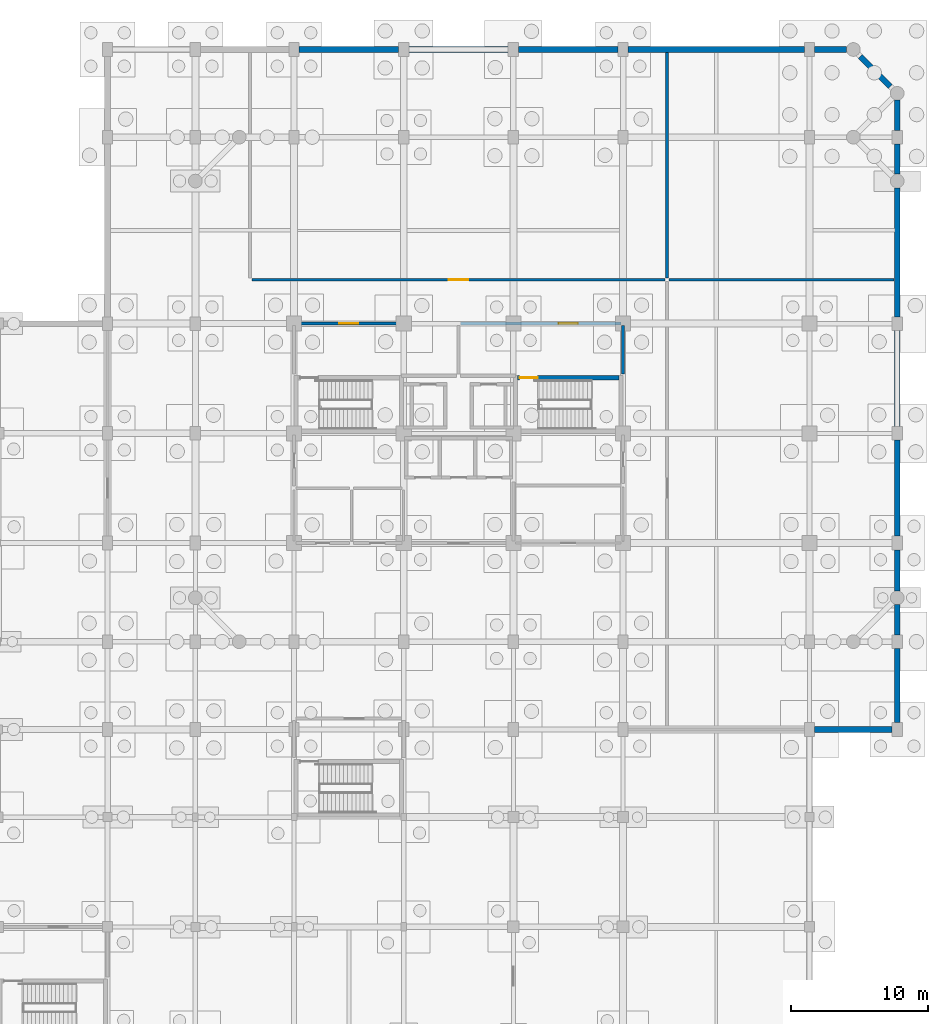
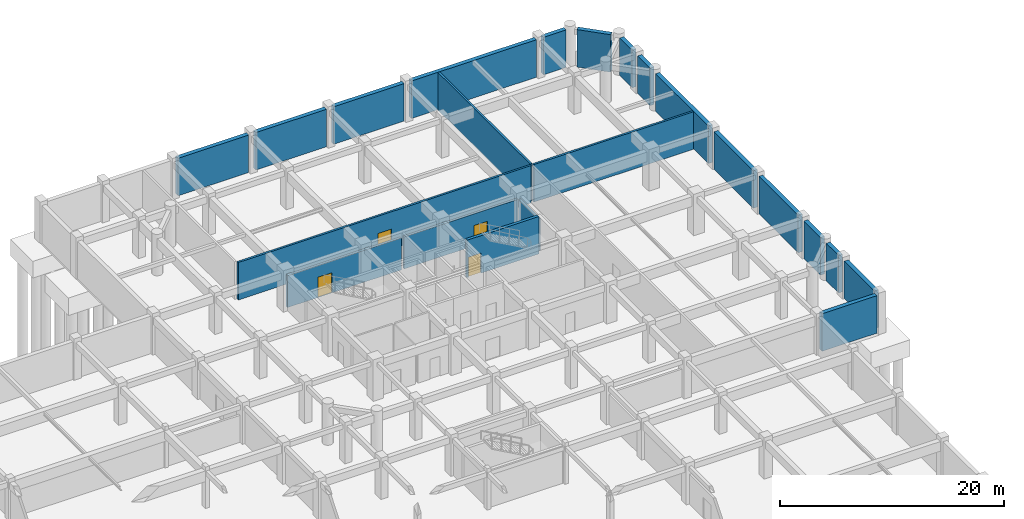
# One storey, part 25 of 28: 22 walls, 4 doors, 4 openings.
"""IFC4 building model written with IfcOpenShell, lengths in metres."""

from ifc_helpers import new_model, si_unit, direction, frame, frame_2d, origin, place, context, subcontext, project, spatial, rectangle, extrude, material, layer, layer_set, type_object, element, fill, save


model = new_model("IFC4")

# Units and contexts
model_context = context("Model", 3, precision=1e-05, world=origin(), true_north=direction((0.0, 1.0)))
body_context = subcontext(model_context, "Body", "Model", "MODEL_VIEW")
ifc_project = project(units=[si_unit("LENGTHUNIT", "METRE"), si_unit("AREAUNIT", "SQUARE_METRE"), si_unit("VOLUMEUNIT", "CUBIC_METRE"), si_unit("PLANEANGLEUNIT", "RADIAN"), si_unit("MASSUNIT", "GRAM", prefix="KILO")], contexts=[model_context])

# Site, building, storey
site_placement = place(None, origin())
site = spatial("IfcSite", under=ifc_project, at=site_placement, CompositionType="ELEMENT")
building_placement = place(site_placement, origin())
building = spatial("IfcBuilding", under=site, at=building_placement, Name="Vellmiral Cinema and Media Centre", CompositionType="ELEMENT")
storey_placement = place(building_placement, frame((0.0, 0.0, -4.5)))
storey = spatial("IfcBuildingStorey", under=building, at=storey_placement, Name="B1", CompositionType="ELEMENT", Elevation=-4.5)

# Walls
ifc_material_1 = material(Name="Concrete C30/37", Category="concrete")
ifc_layer_1 = layer(ifc_material_1, 0.419921875, Name="Concrete C30/37")
ifc_layer_set_1 = layer_set([ifc_layer_1], Name="Concrete C30/37")
wall_type_1 = type_object("IfcWallType", Name="WL-B1-RET-420", PredefinedType="SOLIDWALL", material=ifc_layer_set_1)
wall_1_placement = place(storey_placement, frame((161.97509765625, 65.60009765625, 0.0), z_axis=(0.0, 0.0, 1.0), x_axis=(1.0, 0.0, 0.0)))
element("IfcWall", 1, at=wall_1_placement, inside=storey, type_object=wall_type_1, Name="Basement Retaining Wall B1-036", PredefinedType="SOLIDWALL", context=body_context, shape_type="SweptSolid", body=[
    extrude(rectangle(XDim=5.64990234375, YDim=0.419921875, at=frame_2d((2.824951171875, 0.0))), origin(), (0.0, 0.0, 1.0), 4.080078125),
])
wall_2_placement = place(storey_placement, frame((168.0, 66.10009765625, 0.0), z_axis=(0.0, 0.0, 1.0), x_axis=(0.0, 1.0, 0.0)))
element("IfcWall", 2, at=wall_2_placement, inside=storey, type_object=wall_type_1, Name="Basement Retaining Wall B1-037", PredefinedType="SOLIDWALL", context=body_context, shape_type="SweptSolid", body=[
    extrude(rectangle(XDim=5.39990234375, YDim=0.419921875, at=frame_2d((2.699951171875, 0.0))), origin(), (0.0, 0.0, 1.0), 4.080078125),
])
wall_3_placement = place(storey_placement, frame((168.0, 72.5, 0.0), z_axis=(0.0, 0.0, 1.0), x_axis=(0.0, 1.0, 0.0)))
element("IfcWall", 3, at=wall_3_placement, inside=storey, type_object=wall_type_1, Name="Basement Retaining Wall B1-038", PredefinedType="SOLIDWALL", context=body_context, shape_type="SweptSolid", body=[
    extrude(rectangle(XDim=2.199951171875, YDim=0.419921875, at=frame_2d((1.10009765625, 0.0))), origin(), (0.0, 0.0, 1.0), 4.080078125),
])
wall_4_placement = place(storey_placement, frame((168.0, 75.699951171875, 0.0), z_axis=(0.0, 0.0, 1.0), x_axis=(0.0, 1.0, 0.0)))
element("IfcWall", 4, at=wall_4_placement, inside=storey, type_object=wall_type_1, Name="Basement Retaining Wall B1-039", PredefinedType="SOLIDWALL", context=body_context, shape_type="SweptSolid", body=[
    extrude(rectangle(XDim=3.0, YDim=0.419921875, at=frame_2d((1.5, 0.0))), origin(), (0.0, 0.0, 1.0), 4.080078125),
])
for number, where, z_axis, x_axis, name in (
    (5, (168.0, 79.699951171875, 0.0), (0.0, 0.0, 1.0), (0.0, 1.0, 0.0), "Basement Retaining Wall B1-040"),
    (6, (168.0, 87.699951171875, 0.0), (0.0, 0.0, 1.0), (0.0, 1.0, 0.0), "Basement Retaining Wall B1-041"),
):
    element("IfcWall", number, at=place(storey_placement, frame(where, z_axis=z_axis, x_axis=x_axis)), inside=storey, type_object=wall_type_1, Name=name, PredefinedType="SOLIDWALL", context=body_context, shape_type="SweptSolid", body=[
        extrude(rectangle(XDim=7.0, YDim=0.419921875, at=frame_2d((3.5, 0.0))), origin(), (0.0, 0.0, 1.0), 4.080078125),
    ])
wall_5_placement = place(storey_placement, frame((168.0, 95.699951171875, 0.0), z_axis=(0.0, 0.0, 1.0), x_axis=(0.0, 1.0, 0.0)))
element("IfcWall", 7, at=wall_5_placement, inside=storey, type_object=wall_type_1, Name="Basement Retaining Wall B1-042", PredefinedType="SOLIDWALL", context=body_context, shape_type="SweptSolid", body=[
    extrude(rectangle(XDim=9.400146484375, YDim=0.419921875, at=frame_2d((4.7001953125, 0.0))), origin(), (0.0, 0.0, 1.0), 4.080078125),
])
for number, where, z_axis, x_axis, name in (
    (8, (168.0, 106.10009765625, 0.0), (0.0, 0.0, 1.0), (0.0, 1.0, 0.0), "Basement Retaining Wall B1-043"),
    (9, (168.0, 109.300048828125, 0.0), (0.0, 0.0, 1.0), (0.0, 1.0, 0.0), "Basement Retaining Wall B1-044"),
):
    element("IfcWall", number, at=place(storey_placement, frame(where, z_axis=z_axis, x_axis=x_axis)), inside=storey, type_object=wall_type_1, Name=name, PredefinedType="SOLIDWALL", context=body_context, shape_type="SweptSolid", body=[
        extrude(rectangle(XDim=2.199951171875, YDim=0.419921875, at=frame_2d((1.10009765625, 0.0))), origin(), (0.0, 0.0, 1.0), 4.080078125),
    ])
wall_6_placement = place(storey_placement, frame((167.5, 112.5, 0.0), z_axis=(0.0, 0.0, 1.0), x_axis=(-0.707106781187, 0.707106781187, 0.0)))
element("IfcWall", 10, at=wall_6_placement, inside=storey, type_object=wall_type_1, Name="Basement Retaining Wall B1-045", PredefinedType="SOLIDWALL", context=body_context, shape_type="SweptSolid", body=[
    extrude(rectangle(XDim=3.111083984375, YDim=0.419921875, at=frame_2d((1.5556640625, 0.0))), origin(), (0.0, 0.0, 1.0), 4.080078125),
])
wall_7_placement = place(storey_placement, frame((164.300048828125, 115.199951171875, 0.0), z_axis=(0.0, 0.0, 1.0), x_axis=(-1.0, 0.0, 0.0)))
element("IfcWall", 11, at=wall_7_placement, inside=storey, type_object=wall_type_1, Name="Basement Retaining Wall B1-046", PredefinedType="SOLIDWALL", context=body_context, shape_type="SweptSolid", body=[
    extrude(rectangle(XDim=2.324951171875, YDim=0.419921875, at=frame_2d((1.16259765625, 0.0))), origin(), (0.0, 0.0, 1.0), 4.080078125),
])
wall_8_placement = place(storey_placement, frame((161.22509765625, 115.199951171875, 0.0), z_axis=(0.0, 0.0, 1.0), x_axis=(-1.0, 0.0, 0.0)))
element("IfcWall", 12, at=wall_8_placement, inside=storey, type_object=wall_type_1, Name="Basement Retaining Wall B1-047", PredefinedType="SOLIDWALL", context=body_context, shape_type="SweptSolid", body=[
    extrude(rectangle(XDim=12.85009765625, YDim=0.419921875, at=frame_2d((6.425048828125, 0.0))), origin(), (0.0, 0.0, 1.0), 4.080078125),
])
for number, where, z_axis, x_axis, name in (
    (13, (147.625, 115.199951171875, 0.0), (0.0, 0.0, 1.0), (-1.0, 0.0, 0.0), "Basement Retaining Wall B1-048"),
    (14, (139.625, 115.199951171875, 0.0), (0.0, 0.0, 1.0), (-1.0, 0.0, 0.0), "Basement Retaining Wall B1-049"),
    (15, (131.625, 115.199951171875, 0.0), (0.0, 0.0, 1.0), (-1.0, 0.0, 0.0), "Basement Retaining Wall B1-050"),
):
    element("IfcWall", number, at=place(storey_placement, frame(where, z_axis=z_axis, x_axis=x_axis)), inside=storey, type_object=wall_type_1, Name=name, PredefinedType="SOLIDWALL", context=body_context, shape_type="SweptSolid", body=[
        extrude(rectangle(XDim=7.25, YDim=0.419921875, at=frame_2d((3.625, 0.0))), origin(), (0.0, 0.0, 1.0), 4.080078125),
    ])
ifc_material_2 = material(Name="Concrete C40/50", Category="concrete")
ifc_layer_2 = layer(ifc_material_2, 0.2099609375, Name="Concrete C40/50")
ifc_layer_set_2 = layer_set([ifc_layer_2], Name="Concrete C40/50")
wall_type_2 = type_object("IfcWallType", Name="WL-COMP-210", PredefinedType="SOLIDWALL", material=ifc_layer_set_2)
wall_9_placement = place(storey_placement, frame((151.340087890625, 98.39990234375, 0.0), z_axis=(0.0, 0.0, 1.0), x_axis=(1.0, 0.0, 0.0)))
element("IfcWall", 16, at=wall_9_placement, inside=storey, type_object=wall_type_2, Name="Tower Basement Media Archive Room Wall N", PredefinedType="SOLIDWALL", context=body_context, shape_type="SweptSolid", body=[
    extrude(rectangle(XDim=16.434814453125, YDim=0.2099609375, at=frame_2d((8.21728515625, 0.0))), origin(), (0.0, 0.0, 1.0), 4.080078125),
])

# Wall, opening, door
wall_10_placement = place(storey_placement, frame((120.93994140625, 98.39990234375, 0.0), z_axis=(0.0, 0.0, 1.0), x_axis=(1.0, 0.0, 0.0)))
wall_10 = element("IfcWall", 17, at=wall_10_placement, inside=storey, type_object=wall_type_2, Name="Tower Basement Technical Store Wall S", PredefinedType="SOLIDWALL", context=body_context, shape_type="SweptSolid", body=[
    extrude(rectangle(XDim=30.1201171875, YDim=0.2099609375, at=frame_2d((15.06005859375, 0.0))), origin(), (0.0, 0.0, 1.0), 4.080078125),
])
opening_1_placement = place(wall_10_placement, frame((14.360107421875, 0.0, 0.0)))
opening_1 = element("IfcOpeningElement", 18, at=opening_1_placement, cuts=wall_10, Name="Opening D-FD60B", PredefinedType="OPENING", context=body_context, shape_type="SweptSolid", body=[
    extrude(rectangle(XDim=1.39990234375, YDim=2.199951171875, at=frame_2d((0.699951171875, 1.10009765625))), frame((0.0, 0.116943359375, 0.0), z_axis=(0.0, -1.0, 0.0), x_axis=(1.0, 0.0, 0.0)), (0.0, 0.0, 1.0), 0.23388671875),
])
ifc_material_3 = material(Name="Steel Fire Door", Category="steel")
door_type_1 = type_object("IfcDoorType", Name="DR-FD60-1400x2200", OperationType="NOTDEFINED", PredefinedType="DOOR", material=ifc_material_3)
door_1_placement = place(opening_1_placement, origin())
door_1 = element("IfcDoor", 19, at=door_1_placement, inside=storey, type_object=door_type_1, Name="Tower Basement Technical Store Door", OperationType="SINGLE_SWING_LEFT", OverallHeight=2.199951171875, OverallWidth=1.39990234375, PredefinedType="DOOR", context=body_context, shape_type="SweptSolid", body=[
    extrude(rectangle(XDim=1.39990234375, YDim=2.199951171875, at=frame_2d((0.699951171875, 1.10009765625))), frame((0.0, 0.02490234375, 0.0), z_axis=(0.0, -1.0, 0.0), x_axis=(1.0, 0.0, 0.0)), (0.0, 0.0, 1.0), 0.050048828125),
])
fill(opening_1, door_1)

# Wall
wall_11_placement = place(storey_placement, frame((151.199951171875, 98.5400390625, 0.0), z_axis=(0.0, 0.0, 1.0), x_axis=(0.0, 1.0, 0.0)))
element("IfcWall", 20, at=wall_11_placement, inside=storey, type_object=wall_type_2, Name="Tower Basement Technical Store Wall E", PredefinedType="SOLIDWALL", context=body_context, shape_type="SweptSolid", body=[
    extrude(rectangle(XDim=16.43505859375, YDim=0.2099609375, at=frame_2d((8.217529296875, 0.0))), origin(), (0.0, 0.0, 1.0), 4.080078125),
])

# Wall, opening, door
ifc_material_4 = material(Name="Concrete C40/50", Category="concrete")
ifc_layer_3 = layer(ifc_material_4, 0.300048828125, Name="Concrete C40/50")
ifc_layer_set_3 = layer_set([ifc_layer_3], Name="Concrete C40/50")
wall_type_3 = type_object("IfcWallType", Name="WL-CORE-300", PredefinedType="SHEAR", material=ifc_layer_set_3)
wall_12_placement = place(storey_placement, frame((140.300048828125, 91.25, 0.0), z_axis=(0.0, 0.0, 1.0), x_axis=(1.0, 0.0, 0.0)))
wall_12 = element("IfcWall", 21, at=wall_12_placement, inside=storey, type_object=wall_type_3, Name="Stair Core Wall ST-T2 B1-N", PredefinedType="SHEAR", context=body_context, shape_type="SweptSolid", body=[
    extrude(rectangle(XDim=7.39990234375, YDim=0.300048828125, at=frame_2d((3.699951171875, 0.0))), origin(), (0.0, 0.0, 1.0), 4.080078125),
])
opening_2_placement = place(wall_12_placement, frame((0.159912109375, 0.0, 0.0)))
opening_2 = element("IfcOpeningElement", 22, at=opening_2_placement, cuts=wall_12, Name="Opening D-FD30A", PredefinedType="OPENING", context=body_context, shape_type="SweptSolid", body=[
    extrude(rectangle(XDim=1.300048828125, YDim=2.179931640625, at=frame_2d((0.64990234375, 1.08984375))), frame((0.0, 0.162109375, 0.0), z_axis=(0.0, -1.0, 0.0), x_axis=(1.0, 0.0, 0.0)), (0.0, 0.0, 1.0), 0.323974609375),
])
ifc_material_5 = material(Name="Steel Stair Fire Door", Category="steel")
door_type_2 = type_object("IfcDoorType", Name="DR-FD30-1300x2180", OperationType="NOTDEFINED", PredefinedType="DOOR", material=ifc_material_5)
door_2_placement = place(opening_2_placement, frame((1.300048828125, 0.0, 0.0), z_axis=(0.0, 0.0, 1.0), x_axis=(-1.0, 0.0, 0.0)))
door_2 = element("IfcDoor", 23, at=door_2_placement, inside=storey, type_object=door_type_2, Name="Protected Stair Door ST-T2 B1", OperationType="SINGLE_SWING_RIGHT", OverallHeight=2.179931640625, OverallWidth=1.300048828125, PredefinedType="DOOR", context=body_context, shape_type="SweptSolid", body=[
    extrude(rectangle(XDim=1.300048828125, YDim=2.179931640625, at=frame_2d((0.64990234375, 1.08984375))), frame((0.0, 0.02490234375, 0.0), z_axis=(0.0, -1.0, 0.0), x_axis=(1.0, 0.0, 0.0)), (0.0, 0.0, 1.0), 0.050048828125),
])
fill(opening_2, door_2)

ifc_material_6 = material(Name="Concrete C40/50", Category="concrete")
ifc_layer_4 = layer(ifc_material_6, 0.22998046875, Name="Concrete C40/50")
ifc_layer_set_4 = layer_set([ifc_layer_4], Name="Concrete C40/50")
wall_type_4 = type_object("IfcWallType", Name="WL-FFL-230", PredefinedType="SOLIDWALL", material=ifc_layer_set_4)
wall_13_placement = place(storey_placement, frame((124.139892578125, 95.199951171875, 0.0), z_axis=(0.0, 0.0, 1.0), x_axis=(1.0, 0.0, 0.0)))
wall_13 = element("IfcWall", 24, at=wall_13_placement, inside=storey, type_object=wall_type_4, Name="Firefighting Lobby West Wall N", PredefinedType="SOLIDWALL", context=body_context, shape_type="SweptSolid", body=[
    extrude(rectangle(XDim=11.72021484375, YDim=0.22998046875, at=frame_2d((5.860107421875, 0.0))), origin(), (0.0, 0.0, 1.0), 3.47509765625),
])
opening_3_placement = place(wall_13_placement, frame((3.159912109375, 0.0, 0.0)))
opening_3 = element("IfcOpeningElement", 25, at=opening_3_placement, cuts=wall_13, Name="Opening D-FD60B", PredefinedType="OPENING", context=body_context, shape_type="SweptSolid", body=[
    extrude(rectangle(XDim=1.39990234375, YDim=2.199951171875, at=frame_2d((0.699951171875, 1.10009765625))), frame((0.0, 0.126953125, 0.0), z_axis=(0.0, -1.0, 0.0), x_axis=(1.0, 0.0, 0.0)), (0.0, 0.0, 1.0), 0.25390625),
])
door_3_placement = place(opening_3_placement, frame((1.39990234375, 0.0, 0.0), z_axis=(0.0, 0.0, 1.0), x_axis=(-1.0, 0.0, 0.0)))
door_3 = element("IfcDoor", 26, at=door_3_placement, inside=storey, type_object=door_type_1, Name="Firefighting Lobby West Door", OperationType="SINGLE_SWING_RIGHT", OverallHeight=2.199951171875, OverallWidth=1.39990234375, PredefinedType="DOOR", context=body_context, shape_type="SweptSolid", body=[
    extrude(rectangle(XDim=1.39990234375, YDim=2.199951171875, at=frame_2d((0.699951171875, 1.10009765625))), frame((0.0, 0.02490234375, 0.0), z_axis=(0.0, -1.0, 0.0), x_axis=(1.0, 0.0, 0.0)), (0.0, 0.0, 1.0), 0.050048828125),
])
fill(opening_3, door_3)

wall_14_placement = place(storey_placement, frame((136.139892578125, 95.199951171875, 0.0), z_axis=(0.0, 0.0, 1.0), x_axis=(1.0, 0.0, 0.0)))
wall_14 = element("IfcWall", 27, at=wall_14_placement, inside=storey, type_object=wall_type_4, Name="Firefighting Lobby East Wall N", PredefinedType="SOLIDWALL", context=body_context, shape_type="SweptSolid", body=[
    extrude(rectangle(XDim=11.72021484375, YDim=0.22998046875, at=frame_2d((5.860107421875, 0.0))), origin(), (0.0, 0.0, 1.0), 3.47509765625),
])
opening_4_placement = place(wall_14_placement, frame((7.159912109375, 0.0, 0.0)))
opening_4 = element("IfcOpeningElement", 28, at=opening_4_placement, cuts=wall_14, Name="Opening D-FD60B", PredefinedType="OPENING", context=body_context, shape_type="SweptSolid", body=[
    extrude(rectangle(XDim=1.39990234375, YDim=2.199951171875, at=frame_2d((0.699951171875, 1.10009765625))), frame((0.0, 0.126953125, 0.0), z_axis=(0.0, -1.0, 0.0), x_axis=(1.0, 0.0, 0.0)), (0.0, 0.0, 1.0), 0.25390625),
])
door_4_placement = place(opening_4_placement, frame((1.39990234375, 0.0, 0.0), z_axis=(0.0, 0.0, 1.0), x_axis=(-1.0, 0.0, 0.0)))
door_4 = element("IfcDoor", 29, at=door_4_placement, inside=storey, type_object=door_type_1, Name="Firefighting Lobby East Door", OperationType="SINGLE_SWING_LEFT", OverallHeight=2.199951171875, OverallWidth=1.39990234375, PredefinedType="DOOR", context=body_context, shape_type="SweptSolid", body=[
    extrude(rectangle(XDim=1.39990234375, YDim=2.199951171875, at=frame_2d((0.699951171875, 1.10009765625))), frame((0.0, 0.02490234375, 0.0), z_axis=(0.0, -1.0, 0.0), x_axis=(1.0, 0.0, 0.0)), (0.0, 0.0, 1.0), 0.050048828125),
])
fill(opening_4, door_4)

# Wall
wall_15_placement = place(storey_placement, frame((148.0, 91.5400390625, 0.0), z_axis=(0.0, 0.0, 1.0), x_axis=(0.0, 1.0, 0.0)))
element("IfcWall", 30, at=wall_15_placement, inside=storey, type_object=wall_type_4, Name="Firefighting Lobby East Wall E", PredefinedType="SOLIDWALL", context=body_context, shape_type="SweptSolid", body=[
    extrude(rectangle(XDim=3.52001953125, YDim=0.22998046875, at=frame_2d((1.760009765625, 0.0))), origin(), (0.0, 0.0, 1.0), 3.47509765625),
])

save(model, "model.ifc")
